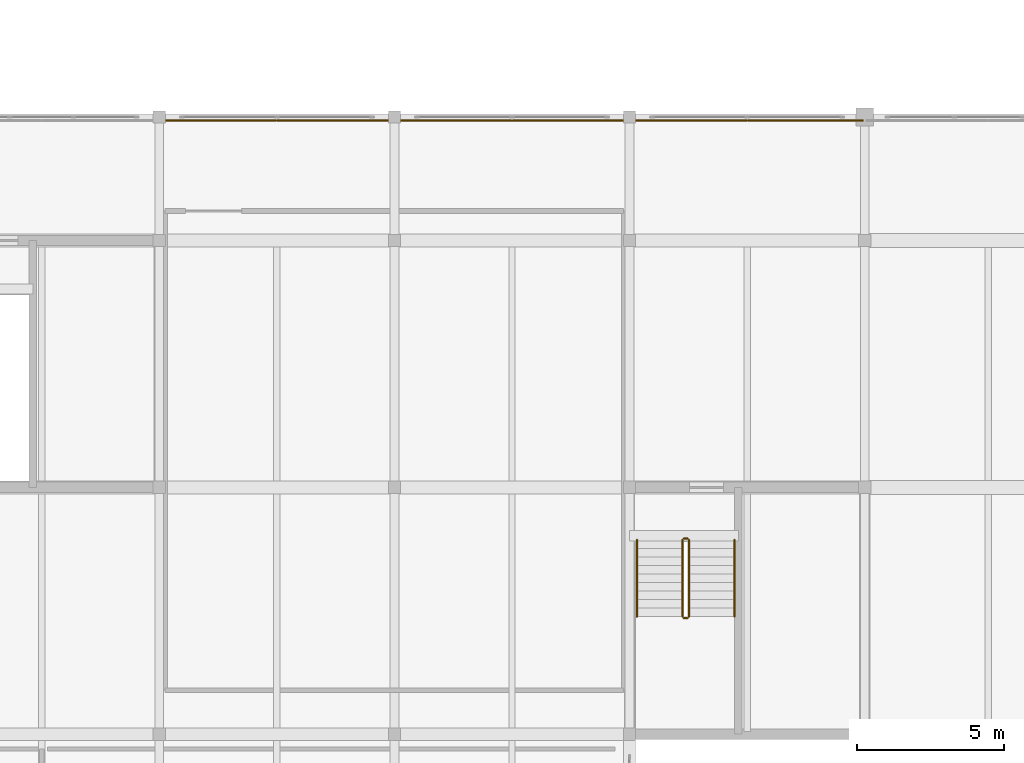
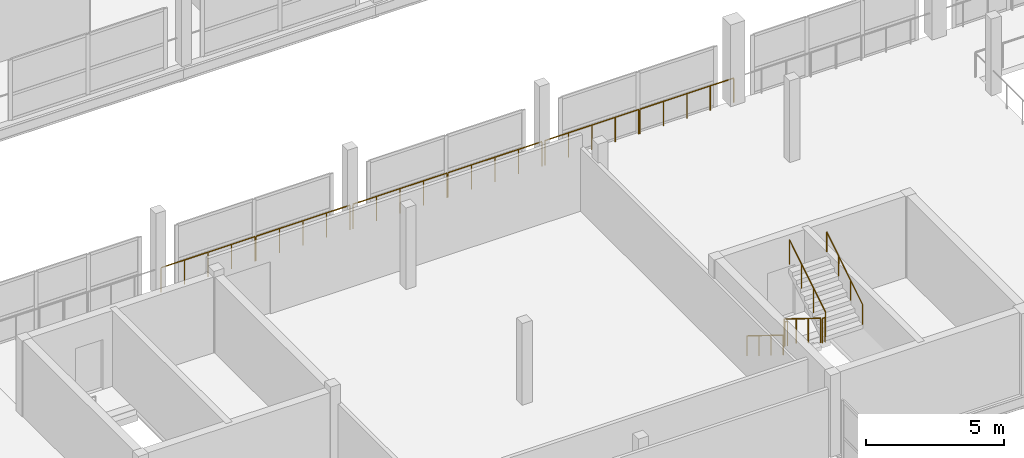
# One storey, part 46 of 51: 12 railings.
"""IFC4 building model written with IfcOpenShell, lengths in metres."""

from ifc_helpers import new_model, si_unit, direction, frame, origin, origin_2d, place, context, subcontext, project, spatial, circle, extrude, material, type_object, element, save


model = new_model("IFC4")

# Units and contexts
model_context = context("Model", 3, precision=1e-05, world=origin(), true_north=direction((0.0, 1.0)))
body_context = subcontext(model_context, "Body", "Model", "MODEL_VIEW")
ifc_project = project(units=[si_unit("LENGTHUNIT", "METRE"), si_unit("AREAUNIT", "SQUARE_METRE"), si_unit("VOLUMEUNIT", "CUBIC_METRE"), si_unit("PLANEANGLEUNIT", "RADIAN"), si_unit("MASSUNIT", "GRAM", prefix="KILO")], contexts=[model_context])

# Site, building, storey
site_placement = place(None, origin())
site = spatial("IfcSite", under=ifc_project, at=site_placement, CompositionType="ELEMENT")
building_placement = place(site_placement, origin())
building = spatial("IfcBuilding", under=site, at=building_placement, Name="Vharandega Faculty of Natural Sciences", CompositionType="ELEMENT")
storey_placement = place(building_placement, frame((0.0, 0.0, 14.39990234375)))
storey = spatial("IfcBuildingStorey", under=building, at=storey_placement, Name="L03", CompositionType="ELEMENT", Elevation=14.39990234375)

# Railings
ifc_material_1 = material(Name="Timber-capped steel and glass balustrade", Category="steel")
railing_type_1 = type_object("IfcRailingType", Name="Atrium Void Balustrade 1100", PredefinedType="BALUSTRADE", material=ifc_material_1)
for number, where, name in (
    (1, (32.06494140625, 84.8798828125, 0.0), "Atrium Glass Balustrade L03 #4"),
    (2, (36.02490234375, 84.8798828125, 0.0), "Atrium Glass Balustrade L03 #5"),
    (3, (40.06494140625, 84.8798828125, 0.0), "Atrium Glass Balustrade L03 #7"),
    (4, (44.02490234375, 84.8798828125, 0.0), "Atrium Glass Balustrade L03 #8"),
    (5, (48.06494140625, 84.8798828125, 0.0), "Atrium Glass Balustrade L03 #10"),
    (6, (52.02490234375, 84.8798828125, 0.0), "Atrium Glass Balustrade L03 #11"),
):
    element("IfcRailing", number, at=place(storey_placement, frame(where)), inside=storey, type_object=railing_type_1, Name=name, PredefinedType="BALUSTRADE", context=body_context, shape_type="SweptSolid", body=[
        extrude(circle(Radius=0.02392578125, at=origin_2d()), frame((0.0, 0.0, 1.076171875), z_axis=(1.0, 0.0, 0.0), x_axis=(0.0, 1.0, 0.0)), (0.0, 0.0, 1.0), 3.91015625),
        extrude(circle(Radius=0.02099609375, at=origin_2d()), origin(), (0.0, 0.0, 1.0), 1.052001953125),
        extrude(circle(Radius=0.02099609375, at=origin_2d()), frame((0.9775390625, 0.0, 0.0)), (0.0, 0.0, 1.0), 1.052001953125),
        extrude(circle(Radius=0.02099609375, at=origin_2d()), frame((1.955078125, 0.0, 0.0)), (0.0, 0.0, 1.0), 1.052001953125),
        extrude(circle(Radius=0.02099609375, at=origin_2d()), frame((2.9326171875, 0.0, 0.0)), (0.0, 0.0, 1.0), 1.052001953125),
        extrude(circle(Radius=0.02099609375, at=origin_2d()), frame((3.91015625, 0.0, 0.0)), (0.0, 0.0, 1.0), 1.052001953125),
    ])
ifc_material_2 = material(Name="Brushed stainless steel handrail", Category="steel")
railing_type_2 = type_object("IfcRailingType", Name="Stair Tubular Handrail 900", PredefinedType="HANDRAIL", material=ifc_material_2)
railing_1_placement = place(storey_placement, frame((48.25, 70.610107421875, 0.18017578125)))
element("IfcRailing", 7, at=railing_1_placement, inside=storey, type_object=railing_type_2, Name="L03 ST5 stair handrail 1", PredefinedType="HANDRAIL", context=body_context, shape_type="SweptSolid", body=[
    extrude(circle(Radius=0.02392578125, at=origin_2d()), frame((0.0, 0.0, 0.8759765625), z_axis=(0.0, -0.849668407637, 0.527317358963), x_axis=(1.0, 0.0, 0.0)), (0.0, 0.0, 1.0), 3.072021484375),
    extrude(circle(Radius=0.02099609375, at=origin_2d()), origin(), (0.0, 0.0, 1.0), 0.851806640625),
    extrude(circle(Radius=0.02099609375, at=origin_2d()), frame((0.0, -0.8701171875, 0.5400390625)), (0.0, 0.0, 1.0), 0.851806640625),
    extrude(circle(Radius=0.02099609375, at=origin_2d()), frame((0.0, -1.739990234375, 1.079833984375)), (0.0, 0.0, 1.0), 0.851806640625),
    extrude(circle(Radius=0.02099609375, at=origin_2d()), frame((0.0, -2.610107421875, 1.619873046875)), (0.0, 0.0, 1.0), 0.851806640625),
])
railing_2_placement = place(storey_placement, frame((51.570068359375, 68.0, 1.97998046875)))
element("IfcRailing", 8, at=railing_2_placement, inside=storey, type_object=railing_type_2, Name="L03 ST5 stair handrail 2", PredefinedType="HANDRAIL", context=body_context, shape_type="SweptSolid", body=[
    extrude(circle(Radius=0.02392578125, at=origin_2d()), frame((0.0, 0.0, 0.8759765625), z_axis=(0.0, 0.849632798774, 0.527374731332), x_axis=(-1.0, 0.0, 0.0)), (0.0, 0.0, 1.0), 3.072021484375),
    extrude(circle(Radius=0.02099609375, at=origin_2d()), origin(), (0.0, 0.0, 1.0), 0.851806640625),
    extrude(circle(Radius=0.02099609375, at=origin_2d()), frame((0.0, 0.8701171875, 0.5400390625)), (0.0, 0.0, 1.0), 0.851806640625),
    extrude(circle(Radius=0.02099609375, at=origin_2d()), frame((0.0, 1.739990234375, 1.080078125)), (0.0, 0.0, 1.0), 0.851806640625),
    extrude(circle(Radius=0.02099609375, at=origin_2d()), frame((0.0, 2.610107421875, 1.6201171875)), (0.0, 0.0, 1.0), 0.851806640625),
])
ifc_material_3 = material(Name="Painted steel stair guardrail", Category="steel")
railing_type_3 = type_object("IfcRailingType", Name="Stairwell Steel Guardrail 1100", PredefinedType="GUARDRAIL", material=ifc_material_3)
railing_3_placement = place(storey_placement, frame((49.800048828125, 70.610107421875, 0.18017578125)))
element("IfcRailing", 9, at=railing_3_placement, inside=storey, type_object=railing_type_3, Name="L03 ST5 stair guard 1", PredefinedType="GUARDRAIL", context=body_context, shape_type="SweptSolid", body=[
    extrude(circle(Radius=0.02392578125, at=origin_2d()), frame((0.0, 0.0, 1.076171875), z_axis=(0.0, -0.849668407637, 0.527317358963), x_axis=(1.0, 0.0, 0.0)), (0.0, 0.0, 1.0), 3.072021484375),
    extrude(circle(Radius=0.02099609375, at=origin_2d()), origin(), (0.0, 0.0, 1.0), 1.052001953125),
    extrude(circle(Radius=0.02099609375, at=origin_2d()), frame((0.0, -0.8701171875, 0.5400390625)), (0.0, 0.0, 1.0), 1.052001953125),
    extrude(circle(Radius=0.02099609375, at=origin_2d()), frame((0.0, -1.739990234375, 1.079833984375)), (0.0, 0.0, 1.0), 1.052001953125),
    extrude(circle(Radius=0.02099609375, at=origin_2d()), frame((0.0, -2.610107421875, 1.619873046875)), (0.0, 0.0, 1.0), 1.052001953125),
])
railing_4_placement = place(storey_placement, frame((49.85009765625, 67.949951171875, 1.800048828125)))
element("IfcRailing", 10, at=railing_4_placement, inside=storey, type_object=railing_type_3, Name="L03 ST5 stair guard 2", PredefinedType="GUARDRAIL", context=body_context, shape_type="SweptSolid", body=[
    extrude(circle(Radius=0.02392578125, at=origin_2d()), frame((0.0, 0.0, 1.076171875), z_axis=(1.0, 0.0, 0.0), x_axis=(0.0, 1.0, 0.0)), (0.0, 0.0, 1.0), 0.119873046875),
    extrude(circle(Radius=0.02099609375, at=origin_2d()), origin(), (0.0, 0.0, 1.0), 1.052001953125),
    extrude(circle(Radius=0.02099609375, at=origin_2d()), frame((0.119873046875, 0.0, 0.0)), (0.0, 0.0, 1.0), 1.052001953125),
])
railing_5_placement = place(storey_placement, frame((50.02001953125, 68.0, 1.97998046875)))
element("IfcRailing", 11, at=railing_5_placement, inside=storey, type_object=railing_type_3, Name="L03 ST5 stair guard 3", PredefinedType="GUARDRAIL", context=body_context, shape_type="SweptSolid", body=[
    extrude(circle(Radius=0.02392578125, at=origin_2d()), frame((0.0, 0.0, 1.076171875), z_axis=(0.0, 0.849632798774, 0.527374731332), x_axis=(-1.0, 0.0, 0.0)), (0.0, 0.0, 1.0), 3.072021484375),
    extrude(circle(Radius=0.02099609375, at=origin_2d()), origin(), (0.0, 0.0, 1.0), 1.052001953125),
    extrude(circle(Radius=0.02099609375, at=origin_2d()), frame((0.0, 0.8701171875, 0.5400390625)), (0.0, 0.0, 1.0), 1.052001953125),
    extrude(circle(Radius=0.02099609375, at=origin_2d()), frame((0.0, 1.739990234375, 1.080078125)), (0.0, 0.0, 1.0), 1.052001953125),
    extrude(circle(Radius=0.02099609375, at=origin_2d()), frame((0.0, 2.610107421875, 1.6201171875)), (0.0, 0.0, 1.0), 1.052001953125),
])
railing_6_placement = place(storey_placement, frame((49.85009765625, 70.659912109375, 0.0)))
element("IfcRailing", 12, at=railing_6_placement, inside=storey, type_object=railing_type_3, Name="L03 ST5 stair guard 4", PredefinedType="GUARDRAIL", context=body_context, shape_type="SweptSolid", body=[
    extrude(circle(Radius=0.02392578125, at=origin_2d()), frame((0.0, 0.0, 1.076171875), z_axis=(1.0, 0.0, 0.0), x_axis=(0.0, 1.0, 0.0)), (0.0, 0.0, 1.0), 0.119873046875),
    extrude(circle(Radius=0.02099609375, at=origin_2d()), origin(), (0.0, 0.0, 1.0), 1.052001953125),
    extrude(circle(Radius=0.02099609375, at=origin_2d()), frame((0.119873046875, 0.0, 0.0)), (0.0, 0.0, 1.0), 1.052001953125),
])

save(model, "model.ifc")
